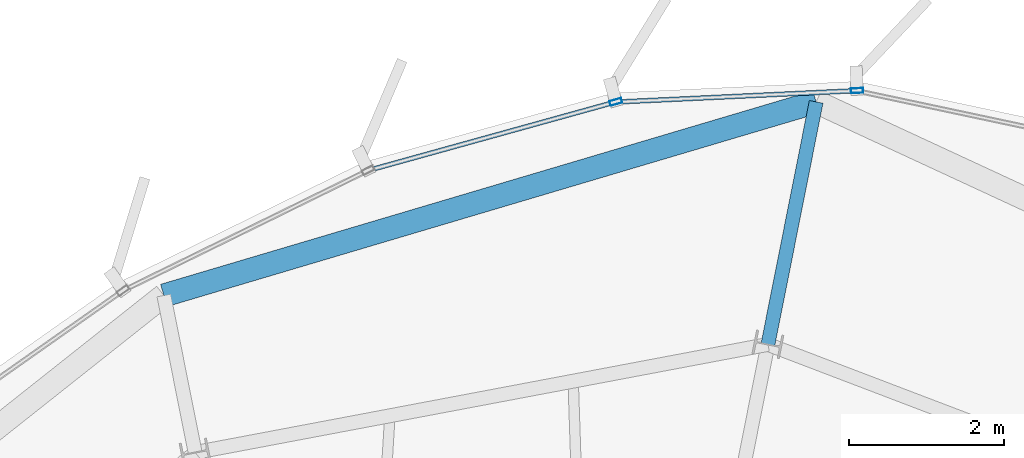
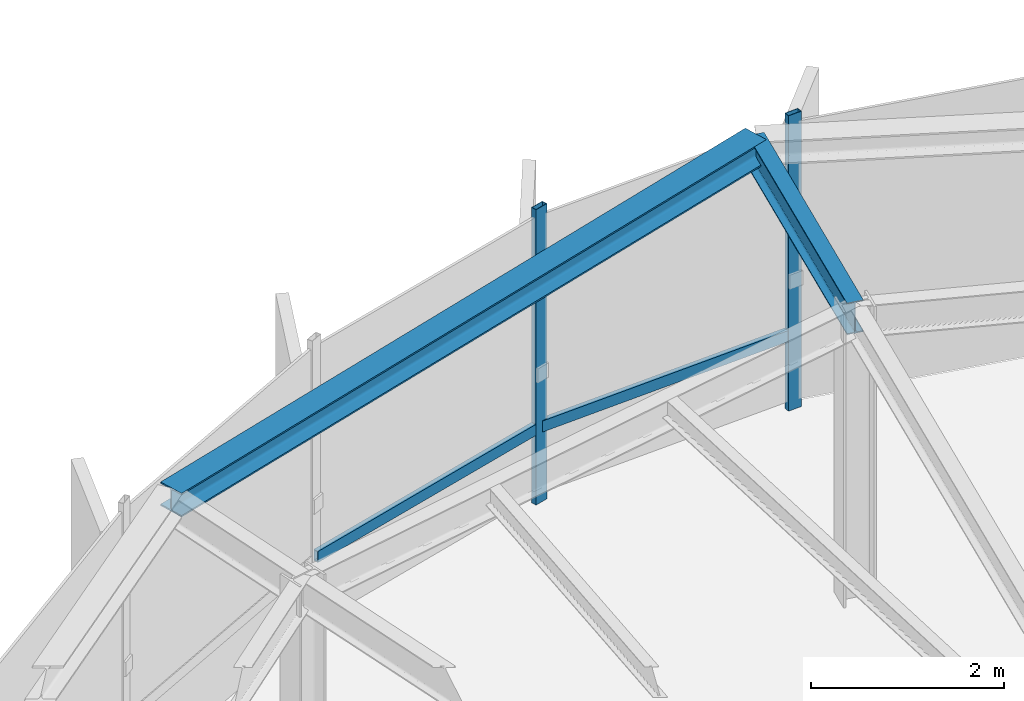
# One storey, part 18 of 26: 4 members, 2 beams, 1 element without a shape of its own.
"""IFC4 building model written with IfcOpenShell, lengths in metres."""

from ifc_helpers import new_model, si_unit, direction, frame, origin, origin_2d, place, context, subcontext, project, spatial, hollow_rectangle, i_section, extrude, source, transform, mapped, material, layer, layer_set, material_profile, profile_set, type_object, element, aggregate, save


model = new_model("IFC4")

# Units and contexts
model_context = context("Model", 3, precision=1e-05, world=origin(), true_north=direction((0.0, 1.0)))
body_context = subcontext(model_context, "Body", "Model", "MODEL_VIEW")
ifc_project = project(units=[si_unit("LENGTHUNIT", "METRE"), si_unit("AREAUNIT", "SQUARE_METRE"), si_unit("VOLUMEUNIT", "CUBIC_METRE"), si_unit("PLANEANGLEUNIT", "RADIAN"), si_unit("MASSUNIT", "GRAM", prefix="KILO"), si_unit("THERMODYNAMICTEMPERATUREUNIT", "KELVIN")], contexts=[model_context])

# Site, building, storey
site_placement = place(None, origin())
site = spatial("IfcSite", under=ifc_project, at=site_placement, CompositionType="ELEMENT")
building_placement = place(site_placement, origin())
building = spatial("IfcBuilding", under=site, at=building_placement, Name="Kethvar Cultural Tower", CompositionType="ELEMENT")
storey_placement = place(building_placement, frame((0.0, 0.0, 316.300048828125)))
storey = spatial("IfcBuildingStorey", under=building, at=storey_placement, Name="L84", CompositionType="ELEMENT", Elevation=316.300048828125)

# Beams
ifc_material_1 = material(Name="Steel S355J2", Category="steel")
ifc_material_profile_1 = material_profile(ifc_material_1, i_section(OverallWidth=0.179931640625, OverallDepth=0.39990234375, WebThickness=0.008544921875, FlangeThickness=0.013427734375, FilletRadius=0.02099609375, at=origin_2d()), Name="Steel S355J2 — IPE400")
ifc_profile_set_1 = profile_set([ifc_material_profile_1], Name="Steel S355J2 — IPE400")
beam_type_1 = type_object("IfcBeamType", Name="BM-IPE400", PredefinedType="BEAM", material=ifc_profile_set_1)
shared_shape_1 = source(origin(), body_context, "Body", "SweptSolid", [
    extrude(i_section(OverallWidth=0.179931640625, OverallDepth=0.39990234375, WebThickness=0.008544921875, FlangeThickness=0.013427734375, FilletRadius=0.02099609375, at=origin_2d()), origin(), (0.0, 0.0, 1.0), 3.199951171875),
])
beam_1_placement = place(storey_placement, frame((50.645263671875, 47.131591796875, 3.532958984375), z_axis=(0.195088965533, 0.980785550224, 0.0), x_axis=(-0.980785550224, 0.195088965533, 0.0)))
element("IfcBeam", 1, at=beam_1_placement, inside=storey, type_object=beam_type_1, Name="L84 Perimeter Cantilever Beam RC-04", PredefinedType="BEAM", context=body_context, shape_type="MappedRepresentation", body=[
    mapped(shared_shape_1, transform((0.0, 0.0, 0.0), scale=1.0)),
])
ifc_material_profile_2 = material_profile(ifc_material_1, i_section(OverallWidth=0.300048828125, OverallDepth=0.300048828125, WebThickness=0.010986328125, FlangeThickness=0.01904296875, FilletRadius=0.027099609375, at=origin_2d()), Name="Steel S355J2 — HEB300")
ifc_profile_set_2 = profile_set([ifc_material_profile_2], Name="Steel S355J2 — HEB300")
beam_type_2 = type_object("IfcBeamType", Name="BM-SP300", PredefinedType="SPANDREL", material=ifc_profile_set_2)
shared_shape_2 = source(origin(), body_context, "Body", "SweptSolid", [
    extrude(i_section(OverallWidth=0.300048828125, OverallDepth=0.300048828125, WebThickness=0.010986328125, FlangeThickness=0.01904296875, FilletRadius=0.027099609375, at=origin_2d()), origin(), (0.0, 0.0, 1.0), 8.8046875),
])
beam_2_placement = place(storey_placement, frame((51.26953125, 50.27001953125, 3.5830078125), z_axis=(-0.958685865087, -0.284466891014, 0.0), x_axis=(0.284466891014, -0.958685865087, 0.0)))
element("IfcBeam", 2, at=beam_2_placement, inside=storey, type_object=beam_type_2, Name="L84 Perimeter Spandrel Beam SP-04", PredefinedType="SPANDREL", context=body_context, shape_type="MappedRepresentation", body=[
    mapped(shared_shape_2, transform((0.0, 0.0, 0.0), scale=1.0)),
])

# Curtain wall, members
ifc_material_2 = material(Name="Aluminium 6063-T6", Category="aluminium")
ifc_layer = layer(ifc_material_2, 0.179931640625, Name="Aluminium 6063-T6", Category="aluminium")
ifc_layer_set = layer_set([ifc_layer], Name="Aluminium 6063-T6 (180 mm)")
curtain_wall_type = type_object("IfcCurtainWallType", Name="CW-SYS-06-CROWN", PredefinedType="NOTDEFINED", material=ifc_layer_set)
curtain_wall_placement = place(storey_placement, origin())
curtain_wall = element("IfcCurtainWall", 3, at=curtain_wall_placement, inside=storey, type_object=curtain_wall_type, Name="L84 Curtain Wall Run 01", PredefinedType="NOTDEFINED")
ifc_material_profile_3 = material_profile(ifc_material_2, hollow_rectangle(XDim=0.06494140625, YDim=0.159912109375, WallThickness=0.0048828125, at=origin_2d()), Name="Aluminium 6063-T6 — RHS160x65x5")
ifc_profile_set_3 = profile_set([ifc_material_profile_3], Name="Aluminium 6063-T6 — RHS160x65x5")
member_type_1 = type_object("IfcMemberType", Name="CW-SYS-06-CROWN-MUL", PredefinedType="MULLION", material=ifc_profile_set_3)
shared_shape_3 = source(origin(), body_context, "Body", "SweptSolid", [
    extrude(hollow_rectangle(XDim=0.06494140625, YDim=0.159912109375, WallThickness=0.0048828125, at=origin_2d()), origin(), (0.0, 0.0, 1.0), 3.73486328125),
])
member_1_placement = place(storey_placement, frame((51.799560546875, 50.41552734375, 0.0), z_axis=(0.0, 0.0, 1.0), x_axis=(0.047472559798, -0.998872542453, 0.0)))
member_1 = element("IfcMember", 4, at=member_1_placement, type_object=member_type_1, Name="CW-L84-R01 Mullion 2", PredefinedType="MULLION", context=body_context, shape_type="MappedRepresentation", body=[
    mapped(shared_shape_3, transform((0.0, 0.0, 0.0), scale=1.0)),
])
member_2_placement = place(storey_placement, frame((48.677490234375, 50.270263671875, 0.0), z_axis=(0.0, 0.0, 1.0), x_axis=(0.26698608906, -0.963700383028, 0.0)))
member_2 = element("IfcMember", 5, at=member_2_placement, type_object=member_type_1, Name="CW-L84-R01 Mullion 3", PredefinedType="MULLION", context=body_context, shape_type="MappedRepresentation", body=[
    mapped(shared_shape_3, transform((0.0, 0.0, 0.0), scale=1.0)),
])
ifc_material_profile_4 = material_profile(ifc_material_2, hollow_rectangle(XDim=0.06005859375, YDim=0.139892578125, WallThickness=0.0048828125, at=origin_2d()), Name="Aluminium 6063-T6 — RHS140x60x5")
ifc_profile_set_4 = profile_set([ifc_material_profile_4], Name="Aluminium 6063-T6 — RHS140x60x5")
member_type_2 = type_object("IfcMemberType", Name="CW-SYS-06-CROWN-TRN", PredefinedType="USERDEFINED", material=ifc_profile_set_4)
shared_shape_4 = source(origin(), body_context, "Body", "SweptSolid", [
    extrude(hollow_rectangle(XDim=0.06005859375, YDim=0.139892578125, WallThickness=0.0048828125, at=origin_2d()), origin(), (0.0, 0.0, 1.0), 3.05810546875),
])
member_3_placement = place(storey_placement, frame((51.752685546875, 50.413330078125, 0.949951171875), z_axis=(-0.998874990827, -0.047421015389, 0.0), x_axis=(0.047421015389, -0.998874990827, 0.0)))
member_3 = element("IfcMember", 6, at=member_3_placement, type_object=member_type_2, Name="CW-L84-R01 Transom 2", ObjectType="TRANSOM", PredefinedType="USERDEFINED", context=body_context, shape_type="MappedRepresentation", body=[
    mapped(shared_shape_4, transform((0.0, 0.0, 0.0), scale=1.0)),
])
shared_shape_5 = source(origin(), body_context, "Body", "SweptSolid", [
    extrude(hollow_rectangle(XDim=0.06005859375, YDim=0.139892578125, WallThickness=0.0048828125, at=origin_2d()), origin(), (0.0, 0.0, 1.0), 3.253173828125),
])
member_4_placement = place(storey_placement, frame((48.632568359375, 50.2578125, 0.949951171875), z_axis=(-0.963710122595, -0.266950931086, 0.0), x_axis=(0.266950931086, -0.963710122595, 0.0)))
member_4 = element("IfcMember", 7, at=member_4_placement, type_object=member_type_2, Name="CW-L84-R01 Transom 3", ObjectType="TRANSOM", PredefinedType="USERDEFINED", context=body_context, shape_type="MappedRepresentation", body=[
    mapped(shared_shape_5, transform((0.0, 0.0, 0.0), scale=1.0)),
])
aggregate(curtain_wall, [member_1, member_2, member_3, member_4])

save(model, "model.ifc")
